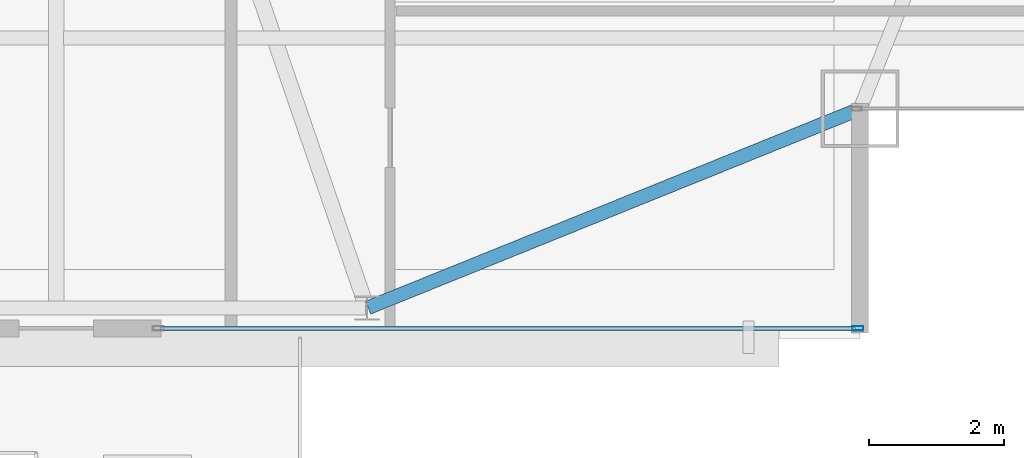
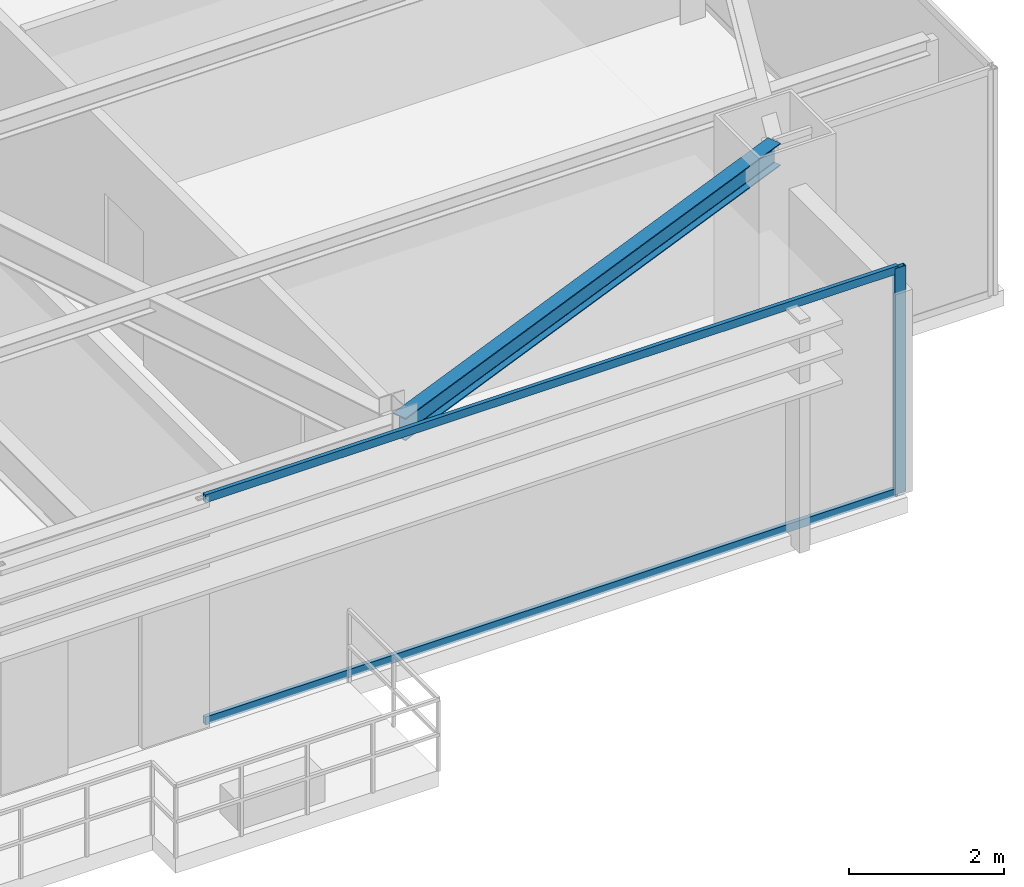
# One storey, part 13 of 30: 3 members, 1 beam, 1 element without a shape of its own.
"""IFC4 building model written with IfcOpenShell, lengths in metres."""

from ifc_helpers import new_model, si_unit, direction, frame, origin, origin_2d, place, context, subcontext, project, spatial, hollow_rectangle, i_section, extrude, source, transform, mapped, material, layer, layer_set, material_profile, profile_set, type_object, type_shapes, element, aggregate, save


model = new_model("IFC4")

# Units and contexts
model_context = context("Model", 3, precision=1e-05, world=origin(), true_north=direction((0.0, 1.0)))
body_context = subcontext(model_context, "Body", "Model", "MODEL_VIEW")
ifc_project = project(units=[si_unit("LENGTHUNIT", "METRE"), si_unit("AREAUNIT", "SQUARE_METRE"), si_unit("VOLUMEUNIT", "CUBIC_METRE"), si_unit("PLANEANGLEUNIT", "RADIAN"), si_unit("MASSUNIT", "GRAM", prefix="KILO")], contexts=[model_context])

# Site, building, storey
site_placement = place(None, origin())
site = spatial("IfcSite", under=ifc_project, at=site_placement, CompositionType="ELEMENT")
building_placement = place(site_placement, origin())
building = spatial("IfcBuilding", under=site, at=building_placement, Name="Varnel Quay Broadcast Tower", CompositionType="ELEMENT")
storey_placement = place(building_placement, frame((0.0, 0.0, 211.199951171875)))
storey = spatial("IfcBuildingStorey", under=building, at=storey_placement, Name="L52", CompositionType="ELEMENT", Elevation=211.199951171875)

# Beam
ifc_material_1 = material(Name="Structural Steel CSA G40.21 350W", Category="steel")
ifc_material_profile_1 = material_profile(ifc_material_1, i_section(OverallWidth=0.205078125, OverallDepth=0.35400390625, WebThickness=0.009521484375, FlangeThickness=0.016845703125, FilletRadius=0.012939453125, at=origin_2d()), Name="W360X79")
ifc_profile_set_1 = profile_set([ifc_material_profile_1], Name="Structural Steel CSA G40.21 350W")
beam_type = type_object("IfcBeamType", Name="Beam_W360X79", PredefinedType="SPANDREL", material=ifc_profile_set_1)
shared_shape_1 = source(origin(), body_context, "Body", "SweptSolid", [
    extrude(i_section(OverallWidth=0.205078125, OverallDepth=0.35400390625, WebThickness=0.009521484375, FlangeThickness=0.016845703125, FilletRadius=0.012939453125, at=origin_2d()), origin(), (0.0, 0.0, 1.0), 7.83349609375),
])
type_shapes(beam_type, [shared_shape_1])
beam_placement = place(storey_placement, frame((47.818603515625, 10.657470703125, 3.373046875), z_axis=(0.927155449606, 0.374676890489, 0.0), x_axis=(-0.374676890489, 0.927155449606, 0.0)))
element("IfcBeam", 1, at=beam_placement, inside=storey, type_object=beam_type, Name="L52 South Spandrel TC-S4-MC-SE", PredefinedType="SPANDREL", context=body_context, shape_type="MappedRepresentation", body=[
    mapped(shared_shape_1, transform((0.0, 0.0, 0.0), x_axis=(1.0, 0.0, 0.0), y_axis=(0.0, 1.0, 0.0), z_axis=(0.0, 0.0, 1.0), scale=1.0)),
])

# Curtain wall, members
ifc_material_2 = material(Name="Anodised Bronze Aluminium 6063-T6", Category="aluminium")
ifc_layer = layer(ifc_material_2, 0.18994140625, Name="Anodised Bronze Aluminium 6063-T6")
ifc_layer_set = layer_set([ifc_layer], Name="Anodised Bronze Aluminium 6063-T6")
curtain_wall_type = type_object("IfcCurtainWallType", Name="CW_UpperTower", PredefinedType="NOTDEFINED", material=ifc_layer_set)
curtain_wall_placement = place(storey_placement, origin())
curtain_wall = element("IfcCurtainWall", 2, at=curtain_wall_placement, inside=storey, type_object=curtain_wall_type, Name="L52 South Unitised Curtain Wall 3", PredefinedType="NOTDEFINED")
ifc_material_profile_2 = material_profile(ifc_material_2, hollow_rectangle(XDim=0.06494140625, YDim=0.1650390625, WallThickness=0.00341796875, at=origin_2d()), Name="ALU65X165X3.5")
ifc_profile_set_2 = profile_set([ifc_material_profile_2], Name="Anodised Bronze Aluminium 6063-T6")
member_type_1 = type_object("IfcMemberType", Name="Mull_CWS-03", PredefinedType="MULLION", material=ifc_profile_set_2)
shared_shape_2 = source(origin(), body_context, "Body", "SweptSolid", [
    extrude(hollow_rectangle(XDim=0.06494140625, YDim=0.1650390625, WallThickness=0.00341796875, at=origin_2d()), origin(), (0.0, 0.0, 1.0), 3.550048828125),
])
type_shapes(member_type_1, [shared_shape_2])
member_1_placement = place(storey_placement, frame((55.0673828125, 10.35009765625, 0.0), z_axis=(0.0, 0.0, 1.0), x_axis=(0.0, 1.0, 0.0)))
member_1 = element("IfcMember", 3, at=member_1_placement, type_object=member_type_1, Name="CWS-03 mullion 2", PredefinedType="MULLION", context=body_context, shape_type="MappedRepresentation", body=[
    mapped(shared_shape_2, transform((0.0, 0.0, 0.0), x_axis=(1.0, 0.0, 0.0), y_axis=(0.0, 1.0, 0.0), z_axis=(0.0, 0.0, 1.0), scale=1.0)),
])
ifc_material_profile_3 = material_profile(ifc_material_2, hollow_rectangle(XDim=0.06005859375, YDim=0.125, WallThickness=0.0029296875, at=origin_2d()), Name="ALU60X125X3")
ifc_profile_set_3 = profile_set([ifc_material_profile_3], Name="Anodised Bronze Aluminium 6063-T6")
member_type_2 = type_object("IfcMemberType", Name="Tran_CWS-03", PredefinedType="USERDEFINED", material=ifc_profile_set_3)
shared_shape_3 = source(origin(), body_context, "Body", "SweptSolid", [
    extrude(hollow_rectangle(XDim=0.06005859375, YDim=0.125, WallThickness=0.0029296875, at=origin_2d()), origin(), (0.0, 0.0, 1.0), 10.289794921875),
])
type_shapes(member_type_2, [shared_shape_3])
member_2_placement = place(storey_placement, frame((44.7451171875, 10.35009765625, 0.030029296875), z_axis=(1.0, 0.0, 0.0), x_axis=(0.0, 1.0, 0.0)))
member_2 = element("IfcMember", 4, at=member_2_placement, type_object=member_type_2, Name="CWS-03 transom 1.1", ObjectType="TRANSOM", PredefinedType="USERDEFINED", context=body_context, shape_type="MappedRepresentation", body=[
    mapped(shared_shape_3, transform((0.0, 0.0, 0.0), x_axis=(1.0, 0.0, 0.0), y_axis=(0.0, 1.0, 0.0), z_axis=(0.0, 0.0, 1.0), scale=1.0)),
])
member_3_placement = place(storey_placement, frame((44.7451171875, 10.35009765625, 3.52001953125), z_axis=(1.0, 0.0, 0.0), x_axis=(0.0, 1.0, 0.0)))
member_3 = element("IfcMember", 5, at=member_3_placement, type_object=member_type_2, Name="CWS-03 transom 1.2", ObjectType="TRANSOM", PredefinedType="USERDEFINED", context=body_context, shape_type="MappedRepresentation", body=[
    mapped(shared_shape_3, transform((0.0, 0.0, 0.0), x_axis=(1.0, 0.0, 0.0), y_axis=(0.0, 1.0, 0.0), z_axis=(0.0, 0.0, 1.0), scale=1.0)),
])
aggregate(curtain_wall, [member_1, member_2, member_3])

save(model, "model.ifc")
